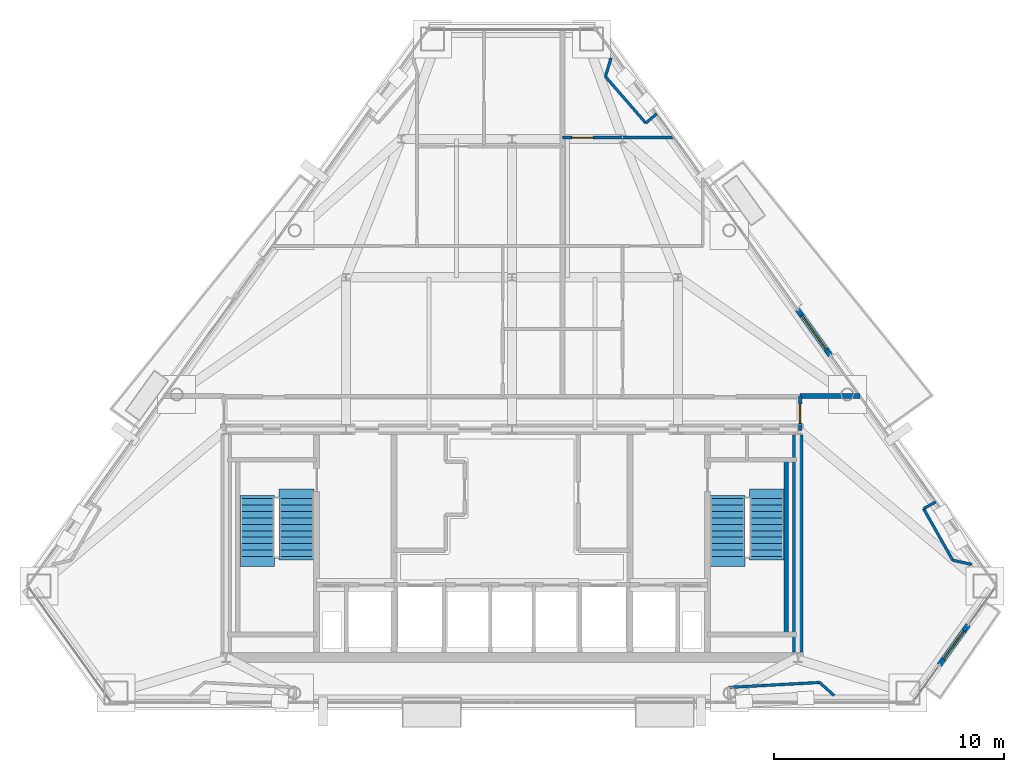
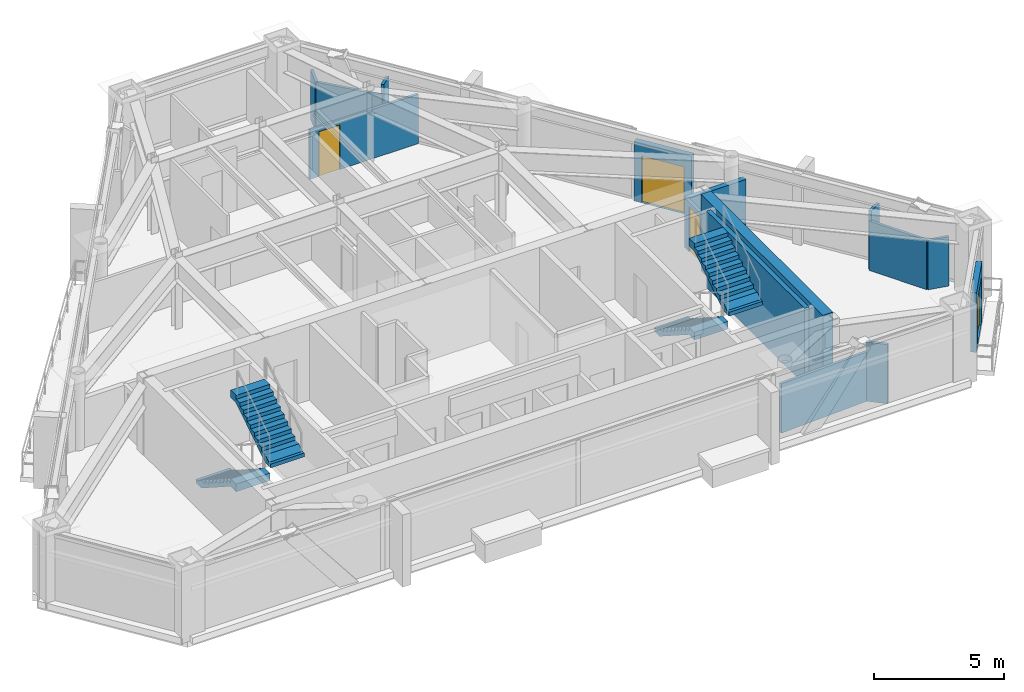
# One storey, part 9 of 11: 15 walls, 4 doors, 4 stair flights, 4 openings, 2 elements without a shape of their own.
"""IFC4 building model written with IfcOpenShell, lengths in metres."""

from ifc_helpers import new_model, si_unit, direction, frame, frame_2d, origin, place, context, subcontext, project, spatial, polyline, rectangle, outline, extrude, material, layer, layer_set, type_object, element, fill, aggregate, save


model = new_model("IFC4")

# Units and contexts
model_context = context("Model", 3, precision=1e-05, world=origin(), true_north=direction((0.0, 1.0)))
body_context = subcontext(model_context, "Body", "Model", "MODEL_VIEW")
ifc_project = project(units=[si_unit("LENGTHUNIT", "METRE"), si_unit("AREAUNIT", "SQUARE_METRE"), si_unit("VOLUMEUNIT", "CUBIC_METRE"), si_unit("PLANEANGLEUNIT", "RADIAN"), si_unit("MASSUNIT", "GRAM", prefix="KILO")], contexts=[model_context])

# Site, building, storey
site_placement = place(None, origin())
site = spatial("IfcSite", under=ifc_project, at=site_placement, CompositionType="ELEMENT")
building_placement = place(site_placement, origin())
building = spatial("IfcBuilding", under=site, at=building_placement, Name="Talgorran Terracotta Tower", CompositionType="ELEMENT")
storey_placement = place(building_placement, frame((0.0, 0.0, 200.10009765625)))
storey = spatial("IfcBuildingStorey", under=building, at=storey_placement, Name="L52", CompositionType="ELEMENT", Elevation=200.10009765625)

# Wall, opening, door
ifc_material_1 = material(Name="Concrete C40/50", Category="concrete")
ifc_layer_1 = layer(ifc_material_1, 0.239990234375, Name="WT_BALCONY_SPAND")
ifc_layer_set_1 = layer_set([ifc_layer_1], Name="Concrete C40/50")
wall_type_1 = type_object("IfcWallType", Name="WT_BALCONY_SPAND", PredefinedType="STANDARD", material=ifc_layer_set_1)
wall_1_placement = place(storey_placement, frame((13.819091796875, -0.98681640625, -0.01513671875), z_axis=(0.0, 0.0, 1.0), x_axis=(-0.583951454754, 0.811788579921, 0.0)))
wall_1 = element("IfcWall", 1, at=wall_1_placement, inside=storey, type_object=wall_type_1, Name="WL-L52-BALP-BAL-NE", PredefinedType="STANDARD", context=body_context, shape_type="SweptSolid", body=[
    extrude(rectangle(XDim=2.43994140625, YDim=0.239990234375, at=frame_2d((1.219970703125, 0.0))), origin(), (0.0, 0.0, 1.0), 2.802001953125),
])
opening_1_placement = place(wall_1_placement, frame((0.320068359375, 0.0, 0.014892578125)))
opening_1 = element("IfcOpeningElement", 2, at=opening_1_placement, cuts=wall_1, Name="Opening D-BAL-L52-1", PredefinedType="OPENING", context=body_context, shape_type="SweptSolid", body=[
    extrude(rectangle(XDim=1.806048828125, YDim=2.203951171875, at=frame_2d((0.89990234375, 1.10205078125))), frame((0.0, 0.1298828125, 0.0), z_axis=(0.0, -1.0, 0.0), x_axis=(1.0, 0.0, 0.0)), (0.0, 0.0, 1.0), 0.260009765625),
])
ifc_material_2 = material(Name="Thermally Broken Aluminium", Category="aluminium")
door_type_1 = type_object("IfcDoorType", Name="DT_BALC_1800", OperationType="SLIDING_TO_LEFT", PredefinedType="DOOR", material=ifc_material_2)
door_1_placement = place(opening_1_placement, origin())
door_1 = element("IfcDoor", 3, at=door_1_placement, inside=storey, type_object=door_type_1, Name="DR-L52-BAL-BAL-NE", OperationType="SLIDING_TO_LEFT", OverallHeight=2.199951171875, OverallWidth=1.800048828125, PredefinedType="DOOR", context=body_context, shape_type="SweptSolid", body=[
    extrude(rectangle(XDim=1.800048828125, YDim=2.199951171875, at=frame_2d((0.89990234375, 1.10009765625))), frame((0.0, 0.02490234375, 0.0), z_axis=(0.0, -1.0, 0.0), x_axis=(1.0, 0.0, 0.0)), (0.0, 0.0, 1.0), 0.050048828125),
])
fill(opening_1, door_1)

wall_2_placement = place(storey_placement, frame((18.54833984375, -14.423583984375, -0.01513671875), z_axis=(0.0, 0.0, 1.0), x_axis=(0.583965085393, 0.811778774693, 0.0)))
wall_2 = element("IfcWall", 4, at=wall_2_placement, inside=storey, type_object=wall_type_1, Name="WL-L52-BALP-BAL-SE", PredefinedType="STANDARD", context=body_context, shape_type="SweptSolid", body=[
    extrude(rectangle(XDim=2.14013671875, YDim=0.239990234375, at=frame_2d((1.070068359375, 0.0))), origin(), (0.0, 0.0, 1.0), 2.802001953125),
])
opening_2_placement = place(wall_2_placement, frame((0.320068359375, 0.0, 0.014892578125)))
opening_2 = element("IfcOpeningElement", 5, at=opening_2_placement, cuts=wall_2, Name="Opening D-BAL-L52-3", PredefinedType="OPENING", context=body_context, shape_type="SweptSolid", body=[
    extrude(rectangle(XDim=1.506, YDim=2.203951171875, at=frame_2d((0.75, 1.10205078125))), frame((0.0, 0.1298828125, 0.0), z_axis=(0.0, -1.0, 0.0), x_axis=(1.0, 0.0, 0.0)), (0.0, 0.0, 1.0), 0.260009765625),
])
door_type_2 = type_object("IfcDoorType", Name="DT_BALC_1500", OperationType="SLIDING_TO_RIGHT", PredefinedType="DOOR", material=ifc_material_2)
door_2_placement = place(opening_2_placement, origin())
door_2 = element("IfcDoor", 6, at=door_2_placement, inside=storey, type_object=door_type_2, Name="DR-L52-BAL-BAL-SE", OperationType="SLIDING_TO_RIGHT", OverallHeight=2.199951171875, OverallWidth=1.5, PredefinedType="DOOR", context=body_context, shape_type="SweptSolid", body=[
    extrude(rectangle(XDim=1.5, YDim=2.199951171875, at=frame_2d((0.75, 1.10009765625))), frame((0.0, 0.02490234375, 0.0), z_axis=(0.0, -1.0, 0.0), x_axis=(1.0, 0.0, 0.0)), (0.0, 0.0, 1.0), 0.050048828125),
])
fill(opening_2, door_2)

# Walls
ifc_material_3 = material(Name="Concrete C50/60", Category="concrete")
ifc_layer_2 = layer(ifc_material_3, 0.199951171875, Name="WT_CORE_200")
ifc_layer_set_2 = layer_set([ifc_layer_2], Name="Concrete C50/60")
wall_type_2 = type_object("IfcWallType", Name="WT_CORE_200", PredefinedType="SOLIDWALL", material=ifc_layer_set_2)
wall_3_placement = place(storey_placement, frame((11.89990234375, -13.10009765625, 0.0), z_axis=(0.0, 0.0, 1.0), x_axis=(0.0, 1.0, 0.0)))
element("IfcWall", 7, at=wall_3_placement, inside=storey, type_object=wall_type_2, Name="WL-L52-CW-ST2-E", PredefinedType="SOLIDWALL", context=body_context, shape_type="SweptSolid", body=[
    extrude(rectangle(XDim=7.580078125, YDim=0.199951171875, at=frame_2d((3.7900390625, 0.0))), origin(), (0.0, 0.0, 1.0), 3.599853515625),
])
ifc_material_4 = material(Name="Concrete C65/80", Category="concrete")
ifc_layer_3 = layer(ifc_material_4, 0.449951171875, Name="WT_CORE_EXT")
ifc_layer_set_3 = layer_set([ifc_layer_3], Name="Concrete C65/80")
wall_type_3 = type_object("IfcWallType", Name="WT_CORE_EXT", PredefinedType="SHEAR", material=ifc_layer_set_3)
wall_4_placement = place(storey_placement, frame((12.39990234375, -13.85009765625, 0.0), z_axis=(0.0, 0.0, 1.0), x_axis=(0.0, 1.0, 0.0)))
element("IfcWall", 8, at=wall_4_placement, inside=storey, type_object=wall_type_3, Name="WL-L52-CW-OUT-E", PredefinedType="SHEAR", context=body_context, shape_type="SweptSolid", body=[
    extrude(rectangle(XDim=9.400146484375, YDim=0.449951171875, at=frame_2d((4.7001953125, 0.0))), origin(), (0.0, 0.0, 1.0), 3.599853515625),
])

# Wall, opening, door
ifc_material_5 = material(Name="Fire-Rated Steel Stud Plasterboard", Category="steel")
ifc_layer_4 = layer(ifc_material_5, 0.14990234375, Name="WT_FIRE_150")
ifc_layer_set_4 = layer_set([ifc_layer_4], Name="Fire-Rated Steel Stud Plasterboard")
wall_type_4 = type_object("IfcWallType", Name="WT_FIRE_150", PredefinedType="PARTITIONING", material=ifc_layer_set_4)
wall_5_placement = place(storey_placement, frame((12.5, -4.239990234375, 0.0), z_axis=(0.0, 0.0, 1.0), x_axis=(0.0, 1.0, 0.0)))
wall_5 = element("IfcWall", 9, at=wall_5_placement, inside=storey, type_object=wall_type_4, Name="WL-L52-W-L52-R02", PredefinedType="PARTITIONING", context=body_context, shape_type="SweptSolid", body=[
    extrude(rectangle(XDim=1.47998046875, YDim=0.14990234375, at=frame_2d((0.739990234375, 0.0))), origin(), (0.0, 0.0, 1.0), 2.31982421875),
])
opening_3_placement = place(wall_5_placement, frame((0.31494140625, 0.0, 0.0)))
opening_3 = element("IfcOpeningElement", 10, at=opening_3_placement, cuts=wall_5, Name="Opening DR-L52-R02", PredefinedType="OPENING", context=body_context, shape_type="SweptSolid", body=[
    extrude(rectangle(XDim=0.826068359375, YDim=2.10409765625, at=frame_2d((0.41015625, 1.052001953125))), frame((0.0, 0.0849609375, 0.0), z_axis=(0.0, -1.0, 0.0), x_axis=(1.0, 0.0, 0.0)), (0.0, 0.0, 1.0), 0.169921875),
])
ifc_material_6 = material(Name="Moisture-Resistant Solid Timber", Category="wood")
door_type_3 = type_object("IfcDoorType", Name="DT_INT_820", OperationType="NOTDEFINED", PredefinedType="DOOR", material=ifc_material_6)
door_3_placement = place(opening_3_placement, origin())
door_3 = element("IfcDoor", 11, at=door_3_placement, inside=storey, type_object=door_type_3, Name="DR-L52-R02", OperationType="SINGLE_SWING_RIGHT", OverallHeight=2.10009765625, OverallWidth=0.820068359375, PredefinedType="DOOR", context=body_context, shape_type="SweptSolid", body=[
    extrude(rectangle(XDim=0.820068359375, YDim=2.10009765625, at=frame_2d((0.41015625, 1.050048828125))), frame((0.0, 0.02490234375, 0.0), z_axis=(0.0, -1.0, 0.0), x_axis=(1.0, 0.0, 0.0)), (0.0, 0.0, 1.0), 0.050048828125),
])
fill(opening_3, door_3)

# Wall
ifc_material_7 = material(Name="Acoustic Masonry and Plasterboard", Category="masonry")
ifc_layer_5 = layer(ifc_material_7, 0.219970703125, Name="WT_PARTY_220")
ifc_layer_set_5 = layer_set([ifc_layer_5], Name="Acoustic Masonry and Plasterboard")
wall_type_5 = type_object("IfcWallType", Name="WT_PARTY_220", PredefinedType="PARTITIONING", material=ifc_layer_set_5)
wall_6_placement = place(storey_placement, frame((12.5, -2.760009765625, 0.0), z_axis=(0.0, 0.0, 1.0), x_axis=(1.0, 0.0, 0.0)))
element("IfcWall", 12, at=wall_6_placement, inside=storey, type_object=wall_type_5, Name="WL-L52-W-L52-R08", PredefinedType="PARTITIONING", context=body_context, shape_type="SweptSolid", body=[
    extrude(rectangle(XDim=2.5947265625, YDim=0.219970703125, at=frame_2d((1.29736328125, 0.0))), origin(), (0.0, 0.0, 1.0), 2.31982421875),
])

# Wall, opening, door
ifc_material_8 = material(Name="Insulated Steel Stud Plasterboard", Category="steel")
ifc_layer_6 = layer(ifc_material_8, 0.1201171875, Name="WT_PART_120")
ifc_layer_set_6 = layer_set([ifc_layer_6], Name="Insulated Steel Stud Plasterboard")
wall_type_6 = type_object("IfcWallType", Name="WT_PART_120", PredefinedType="PARTITIONING", material=ifc_layer_set_6)
wall_7_placement = place(storey_placement, frame((2.199951171875, 8.4599609375, 0.0), z_axis=(0.0, 0.0, 1.0), x_axis=(1.0, 0.0, 0.0)))
wall_7 = element("IfcWall", 13, at=wall_7_placement, inside=storey, type_object=wall_type_6, Name="WL-L52-W-L52-R31", PredefinedType="PARTITIONING", context=body_context, shape_type="SweptSolid", body=[
    extrude(rectangle(XDim=4.822998046875, YDim=0.1201171875, at=frame_2d((2.41162109375, 0.0))), origin(), (0.0, 0.0, 1.0), 2.31982421875),
])
opening_4_placement = place(wall_7_placement, frame((0.397216796875, 0.0, 0.0)))
opening_4 = element("IfcOpeningElement", 14, at=opening_4_placement, cuts=wall_7, Name="Opening DR-L52-R14", PredefinedType="OPENING", context=body_context, shape_type="SweptSolid", body=[
    extrude(rectangle(XDim=0.925921875, YDim=2.10409765625, at=frame_2d((0.4599609375, 1.052001953125))), frame((0.0, 0.070068359375, 0.0), z_axis=(0.0, -1.0, 0.0), x_axis=(1.0, 0.0, 0.0)), (0.0, 0.0, 1.0), 0.14013671875),
])
ifc_material_9 = material(Name="Solid-Core Painted Timber", Category="wood")
door_type_4 = type_object("IfcDoorType", Name="DT_INT_920", OperationType="NOTDEFINED", PredefinedType="DOOR", material=ifc_material_9)
door_4_placement = place(opening_4_placement, origin())
door_4 = element("IfcDoor", 15, at=door_4_placement, inside=storey, type_object=door_type_4, Name="DR-L52-R14", OperationType="SINGLE_SWING_RIGHT", OverallHeight=2.10009765625, OverallWidth=0.919921875, PredefinedType="DOOR", context=body_context, shape_type="SweptSolid", body=[
    extrude(rectangle(XDim=0.919921875, YDim=2.10009765625, at=frame_2d((0.4599609375, 1.050048828125))), frame((0.0, 0.02490234375, 0.0), z_axis=(0.0, -1.0, 0.0), x_axis=(1.0, 0.0, 0.0)), (0.0, 0.0, 1.0), 0.050048828125),
])
fill(opening_4, door_4)

# Walls
wall_8_placement = place(storey_placement, frame((9.397705078125, -15.396484375, 0.0), z_axis=(0.0, 0.0, 1.0), x_axis=(0.998542273278, 0.053975258015, 0.0)))
element("IfcWall", 16, at=wall_8_placement, inside=storey, type_object=wall_type_6, Name="WL-L52-BW-L52-07", PredefinedType="PARTITIONING", context=body_context, shape_type="SweptSolid", body=[
    extrude(rectangle(XDim=3.953369140625, YDim=0.1201171875, at=frame_2d((1.9765625, 0.0))), origin(), (0.0, 0.0, 1.0), 2.31982421875),
])
wall_9_placement = place(storey_placement, frame((5.80859375, 9.088134765625, 0.0), z_axis=(0.0, 0.0, 1.0), x_axis=(-0.655668890294, 0.755048545658, 0.0)))
element("IfcWall", 17, at=wall_9_placement, inside=storey, type_object=wall_type_6, Name="WL-L52-BW-L52-18", PredefinedType="PARTITIONING", context=body_context, shape_type="SweptSolid", body=[
    extrude(rectangle(XDim=2.68017578125, YDim=0.1201171875, at=frame_2d((1.340087890625, 0.0))), origin(), (0.0, 0.0, 1.0), 2.31982421875),
])
wall_10_placement = place(storey_placement, frame((19.12451171875, -9.88037109375, 0.0), z_axis=(0.0, 0.0, 1.0), x_axis=(-0.491919564627, 0.87064065029, 0.0)))
element("IfcWall", 18, at=wall_10_placement, inside=storey, type_object=wall_type_6, Name="WL-L52-BW-L52-10", PredefinedType="PARTITIONING", context=body_context, shape_type="SweptSolid", body=[
    extrude(rectangle(XDim=2.57080078125, YDim=0.1201171875, at=frame_2d((1.285400390625, 0.0))), origin(), (0.0, 0.0, 1.0), 2.31982421875),
])
wall_11_placement = place(storey_placement, frame((13.34521484375, -15.18310546875, 0.0), z_axis=(0.0, 0.0, 1.0), x_axis=(0.744707356433, -0.667391154627, 0.0)))
element("IfcWall", 19, at=wall_11_placement, inside=storey, type_object=wall_type_6, Name="WL-L52-BW-L52-05", PredefinedType="PARTITIONING", context=body_context, shape_type="SweptSolid", body=[
    extrude(rectangle(XDim=0.849365234375, YDim=0.1201171875, at=frame_2d((0.4248046875, 0.0))), origin(), (0.0, 0.0, 1.0), 2.786865234375),
])
wall_12_placement = place(storey_placement, frame((19.953125, -10.058837890625, 0.0), z_axis=(0.0, 0.0, 1.0), x_axis=(-0.977582693279, 0.210551841127, 0.0)))
element("IfcWall", 20, at=wall_12_placement, inside=storey, type_object=wall_type_6, Name="WL-L52-BW-L52-09", PredefinedType="PARTITIONING", context=body_context, shape_type="SweptSolid", body=[
    extrude(rectangle(XDim=0.84765625, YDim=0.1201171875, at=frame_2d((0.423828125, 0.0))), origin(), (0.0, 0.0, 1.0), 2.31982421875),
])
wall_13_placement = place(storey_placement, frame((4.05126953125, 11.11181640625, 0.0), z_axis=(0.0, 0.0, 1.0), x_axis=(0.298538782318, 0.954397503901, 0.0)))
element("IfcWall", 21, at=wall_13_placement, inside=storey, type_object=wall_type_6, Name="WL-L52-BW-L52-19", PredefinedType="PARTITIONING", context=body_context, shape_type="SweptSolid", body=[
    extrude(rectangle(XDim=0.843017578125, YDim=0.1201171875, at=frame_2d((0.42138671875, 0.0))), origin(), (0.0, 0.0, 1.0), 2.31982421875),
])
wall_14_placement = place(storey_placement, frame((6.2705078125, 9.489013671875, 0.0), z_axis=(0.0, 0.0, 1.0), x_axis=(-0.755241099501, -0.655447085297, 0.0)))
element("IfcWall", 22, at=wall_14_placement, inside=storey, type_object=wall_type_6, Name="WL-L52-BW-L52-17", PredefinedType="PARTITIONING", context=body_context, shape_type="SweptSolid", body=[
    extrude(rectangle(XDim=0.611572265625, YDim=0.1201171875, at=frame_2d((0.3056640625, 0.0))), origin(), (0.0, 0.0, 1.0), 2.786865234375),
])
wall_15_placement = place(storey_placement, frame((17.85986328125, -7.64208984375, 0.0), z_axis=(0.0, 0.0, 1.0), x_axis=(0.87056283872, 0.492057256668, 0.0)))
element("IfcWall", 23, at=wall_15_placement, inside=storey, type_object=wall_type_6, Name="WL-L52-BW-L52-08", PredefinedType="PARTITIONING", context=body_context, shape_type="SweptSolid", body=[
    extrude(rectangle(XDim=0.599853515625, YDim=0.1201171875, at=frame_2d((0.2998046875, 0.0))), origin(), (0.0, 0.0, 1.0), 2.786865234375),
])

# Stair, stair flights
stair_type = type_object("IfcStairType", Name="ST_FIRE_SCISSOR", PredefinedType="HALF_TURN_STAIR", material=ifc_material_1)
stair_1_placement = place(storey_placement, origin())
stair_1 = element("IfcStair", 24, at=stair_1_placement, inside=storey, type_object=stair_type, Name="L52 West Protected Fire Stair ST-01", PredefinedType="HALF_TURN_STAIR")
ifc_layer_7 = layer(ifc_material_1, 0.179931640625, Name="STF_RC_1500")
ifc_layer_set_7 = layer_set([ifc_layer_7], Name="Concrete C40/50")
stair_flight_type = type_object("IfcStairFlightType", Name="STF_RC_1500", PredefinedType="STRAIGHT", material=ifc_layer_set_7)
stair_flight_1_placement = place(storey_placement, frame((-11.050048828125, -7.199951171875, 0.0), z_axis=(0.0, 0.0, 1.0), x_axis=(0.0, -1.0, 0.0)))
stair_flight_1 = element("IfcStairFlight", 25, at=stair_flight_1_placement, type_object=stair_flight_type, Name="ST-01 flight 1", NumberOfRisers=10, NumberOfTreads=9, PredefinedType="STRAIGHT", RiserHeight=0.18, TreadLength=0.28, context=body_context, shape_type="SweptSolid", body=[
    extrude(outline(polyline([(-0.139892578125, 0.0), (-0.139892578125, 0.179931640625), (0.0, 0.179931640625), (0.280029296875, 0.360107421875), (0.56005859375, 0.360107421875), (0.56005859375, 0.5400390625), (0.840087890625, 0.5400390625), (0.840087890625, 0.719970703125), (1.1201171875, 0.719970703125), (1.1201171875, 0.89990234375), (1.39990234375, 0.89990234375), (1.39990234375, 1.080078125), (1.679931640625, 1.080078125), (1.679931640625, 1.260009765625), (1.9599609375, 1.260009765625), (1.9599609375, 1.43994140625), (2.239990234375, 1.43994140625), (2.239990234375, 1.6201171875), (2.52001953125, 1.6201171875), (2.52001953125, 1.800048828125), (2.93994140625, 1.800048828125), (2.93994140625, 1.44189453125), (2.52001953125, 1.44189453125), (0.277099609375, 0.0), (-0.139892578125, 0.0)])), frame((0.0, 0.75, 0.0), z_axis=(0.0, -1.0, 0.0), x_axis=(1.0, 0.0, 0.0)), (0.0, 0.0, 1.0), 1.5),
])
stair_flight_2_placement = place(storey_placement, frame((-9.35009765625, -9.719970703125, 1.7998046875), z_axis=(0.0, 0.0, 1.0), x_axis=(0.0, 1.0, 0.0)))
stair_flight_2 = element("IfcStairFlight", 26, at=stair_flight_2_placement, type_object=stair_flight_type, Name="ST-01 flight 2", NumberOfRisers=10, NumberOfTreads=9, PredefinedType="STRAIGHT", RiserHeight=0.18, TreadLength=0.28, context=body_context, shape_type="SweptSolid", body=[
    extrude(outline(polyline([(-0.139892578125, 0.0), (-0.139892578125, 0.179931640625), (0.0, 0.179931640625), (0.280029296875, 0.360107421875), (0.56005859375, 0.360107421875), (0.56005859375, 0.5400390625), (0.840087890625, 0.5400390625), (0.840087890625, 0.719970703125), (1.1201171875, 0.719970703125), (1.1201171875, 0.89990234375), (1.39990234375, 0.89990234375), (1.39990234375, 1.080078125), (1.679931640625, 1.080078125), (1.679931640625, 1.260009765625), (1.9599609375, 1.260009765625), (1.9599609375, 1.43994140625), (2.239990234375, 1.43994140625), (2.239990234375, 1.6201171875), (2.52001953125, 1.6201171875), (2.52001953125, 1.800048828125), (2.93994140625, 1.800048828125), (2.93994140625, 1.44189453125), (2.52001953125, 1.44189453125), (0.277099609375, 0.0), (-0.139892578125, 0.0)])), frame((0.0, 0.75, 0.0), z_axis=(0.0, -1.0, 0.0), x_axis=(1.0, 0.0, 0.0)), (0.0, 0.0, 1.0), 1.5),
])
aggregate(stair_1, [stair_flight_1, stair_flight_2])

stair_2_placement = place(storey_placement, origin())
stair_2 = element("IfcStair", 27, at=stair_2_placement, inside=storey, type_object=stair_type, Name="L52 East Protected Fire Stair ST-02", PredefinedType="HALF_TURN_STAIR")
stair_flight_3_placement = place(storey_placement, frame((9.35009765625, -7.199951171875, 0.0), z_axis=(0.0, 0.0, 1.0), x_axis=(0.0, -1.0, 0.0)))
stair_flight_3 = element("IfcStairFlight", 28, at=stair_flight_3_placement, type_object=stair_flight_type, Name="ST-02 flight 1", NumberOfRisers=10, NumberOfTreads=9, PredefinedType="STRAIGHT", RiserHeight=0.18, TreadLength=0.28, context=body_context, shape_type="SweptSolid", body=[
    extrude(outline(polyline([(-0.139892578125, 0.0), (-0.139892578125, 0.179931640625), (0.0, 0.179931640625), (0.280029296875, 0.360107421875), (0.56005859375, 0.360107421875), (0.56005859375, 0.5400390625), (0.840087890625, 0.5400390625), (0.840087890625, 0.719970703125), (1.1201171875, 0.719970703125), (1.1201171875, 0.89990234375), (1.39990234375, 0.89990234375), (1.39990234375, 1.080078125), (1.679931640625, 1.080078125), (1.679931640625, 1.260009765625), (1.9599609375, 1.260009765625), (1.9599609375, 1.43994140625), (2.239990234375, 1.43994140625), (2.239990234375, 1.6201171875), (2.52001953125, 1.6201171875), (2.52001953125, 1.800048828125), (2.93994140625, 1.800048828125), (2.93994140625, 1.44189453125), (2.52001953125, 1.44189453125), (0.277099609375, 0.0), (-0.139892578125, 0.0)])), frame((0.0, 0.75, 0.0), z_axis=(0.0, -1.0, 0.0), x_axis=(1.0, 0.0, 0.0)), (0.0, 0.0, 1.0), 1.5),
])
stair_flight_4_placement = place(storey_placement, frame((11.050048828125, -9.719970703125, 1.7998046875), z_axis=(0.0, 0.0, 1.0), x_axis=(0.0, 1.0, 0.0)))
stair_flight_4 = element("IfcStairFlight", 29, at=stair_flight_4_placement, type_object=stair_flight_type, Name="ST-02 flight 2", NumberOfRisers=10, NumberOfTreads=9, PredefinedType="STRAIGHT", RiserHeight=0.18, TreadLength=0.28, context=body_context, shape_type="SweptSolid", body=[
    extrude(outline(polyline([(-0.139892578125, 0.0), (-0.139892578125, 0.179931640625), (0.0, 0.179931640625), (0.280029296875, 0.360107421875), (0.56005859375, 0.360107421875), (0.56005859375, 0.5400390625), (0.840087890625, 0.5400390625), (0.840087890625, 0.719970703125), (1.1201171875, 0.719970703125), (1.1201171875, 0.89990234375), (1.39990234375, 0.89990234375), (1.39990234375, 1.080078125), (1.679931640625, 1.080078125), (1.679931640625, 1.260009765625), (1.9599609375, 1.260009765625), (1.9599609375, 1.43994140625), (2.239990234375, 1.43994140625), (2.239990234375, 1.6201171875), (2.52001953125, 1.6201171875), (2.52001953125, 1.800048828125), (2.93994140625, 1.800048828125), (2.93994140625, 1.44189453125), (2.52001953125, 1.44189453125), (0.277099609375, 0.0), (-0.139892578125, 0.0)])), frame((0.0, 0.75, 0.0), z_axis=(0.0, -1.0, 0.0), x_axis=(1.0, 0.0, 0.0)), (0.0, 0.0, 1.0), 1.5),
])
aggregate(stair_2, [stair_flight_3, stair_flight_4])

save(model, "model.ifc")
